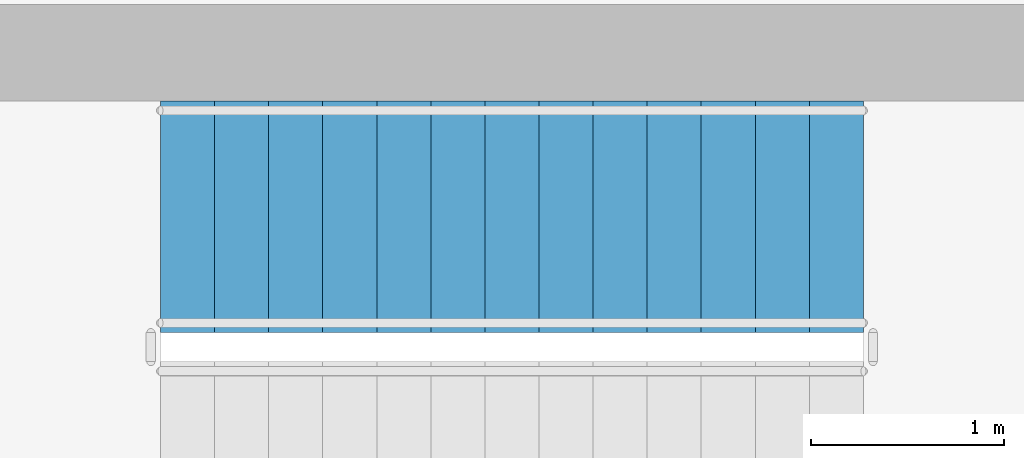
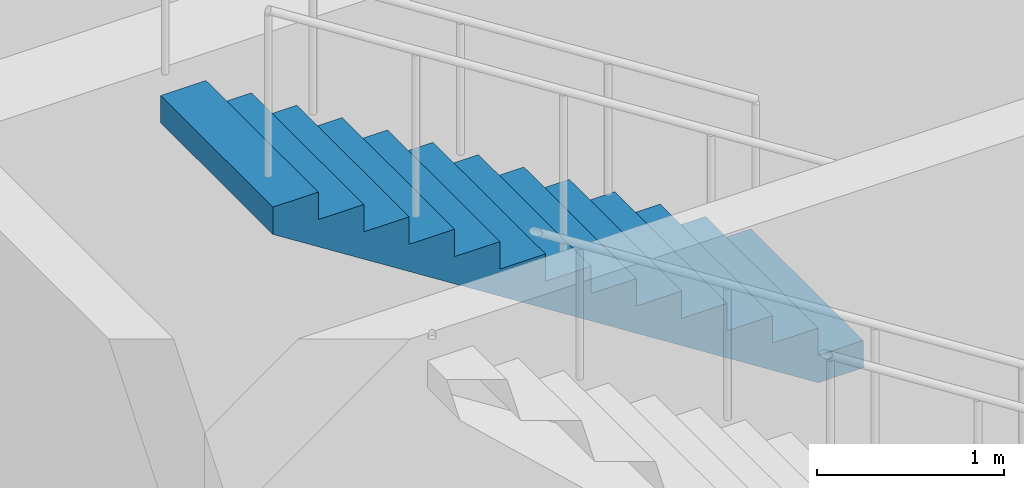
# One storey, part 5 of 8: 1 stair flight, 1 element without a shape of its own.
"""IFC4 building model written with IfcOpenShell, lengths in metres."""

from ifc_helpers import new_model, si_unit, direction, frame, origin, place, context, subcontext, project, spatial, polyline, outline, extrude, material, type_object, element, aggregate, save


model = new_model("IFC4")

# Units and contexts
model_context = context("Model", 3, precision=1e-05, world=origin(), true_north=direction((0.0, 1.0)))
body_context = subcontext(model_context, "Body", "Model", "MODEL_VIEW")
ifc_project = project(units=[si_unit("LENGTHUNIT", "METRE"), si_unit("AREAUNIT", "SQUARE_METRE"), si_unit("VOLUMEUNIT", "CUBIC_METRE"), si_unit("PLANEANGLEUNIT", "RADIAN"), si_unit("MASSUNIT", "GRAM", prefix="KILO")], contexts=[model_context])

# Site, building, storey
site_placement = place(None, origin())
site = spatial("IfcSite", under=ifc_project, at=site_placement, CompositionType="ELEMENT")
building_placement = place(site_placement, origin())
building = spatial("IfcBuilding", under=site, at=building_placement, Name="Ostrand Prow Hotel Tower", CompositionType="ELEMENT")
storey_placement = place(building_placement, frame((0.0, 0.0, 327.39990234375)))
storey = spatial("IfcBuildingStorey", under=building, at=storey_placement, Name="C5", CompositionType="ELEMENT", Elevation=327.39990234375)

# Stair, stair flight
ifc_material_1 = material(Name="Concrete C40/50", Category="concrete")
stair_type = type_object("IfcStairType", Name="Exit stair 1200 upper zone", PredefinedType="HALF_TURN_STAIR", material=ifc_material_1)
stair_placement = place(storey_placement, origin())
stair = element("IfcStair", 1, at=stair_placement, inside=storey, type_object=stair_type, Name="C5 ST3C", PredefinedType="HALF_TURN_STAIR")
ifc_material_2 = material(Name="Concrete C40/50", Category="concrete")
stair_flight_type = type_object("IfcStairFlightType", Name="Stair flight 1200 concrete", PredefinedType="STRAIGHT", material=ifc_material_2)
stair_flight_placement = place(storey_placement, frame((60.840087890625, 15.14990234375, 2.5), z_axis=(0.0, 0.0, 1.0), x_axis=(-1.0, 0.0, 0.0)))
stair_flight = element("IfcStairFlight", 2, at=stair_flight_placement, type_object=stair_flight_type, Name="ST3C flight 2", NumberOfRisers=14, NumberOfTreads=13, PredefinedType="STRAIGHT", RiserHeight=0.178571429, TreadLength=0.28, context=body_context, shape_type="SweptSolid", body=[
    extrude(outline(polyline([(0.0, 0.0), (0.0, 0.178466796875), (0.280029296875, 0.178466796875), (0.280029296875, 0.357177734375), (0.56005859375, 0.357177734375), (0.56005859375, 0.53564453125), (0.840087890625, 0.53564453125), (0.840087890625, 0.71435546875), (1.1201171875, 0.71435546875), (1.1201171875, 0.892822265625), (1.39990234375, 0.892822265625), (1.39990234375, 1.071533203125), (1.679931640625, 1.071533203125), (1.679931640625, 1.25), (1.9599609375, 1.25), (1.9599609375, 1.428466796875), (2.239990234375, 1.428466796875), (2.239990234375, 1.607177734375), (2.52001953125, 1.607177734375), (2.52001953125, 1.78564453125), (2.800048828125, 1.78564453125), (2.800048828125, 1.96435546875), (3.080078125, 1.96435546875), (3.080078125, 2.142822265625), (3.360107421875, 2.142822265625), (3.360107421875, 2.321533203125), (3.639892578125, 2.321533203125), (3.639892578125, 2.5), (3.639892578125, 2.1435546875), (0.27880859375, 0.0), (0.0, 0.0)])), frame((0.0, 0.60009765625, 0.0), z_axis=(0.0, -1.0, 0.0), x_axis=(1.0, 0.0, 0.0)), (0.0, 0.0, 1.0), 1.199951171875),
])
aggregate(stair, [stair_flight])

save(model, "model.ifc")
